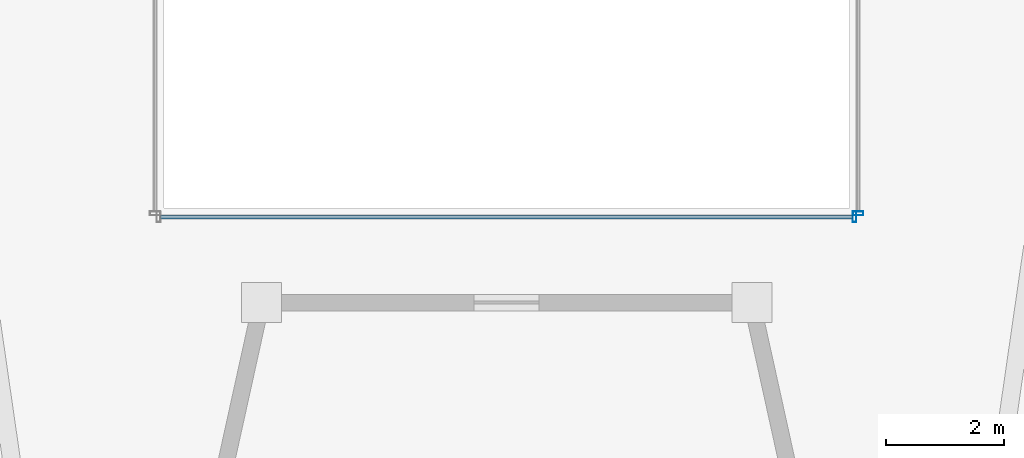
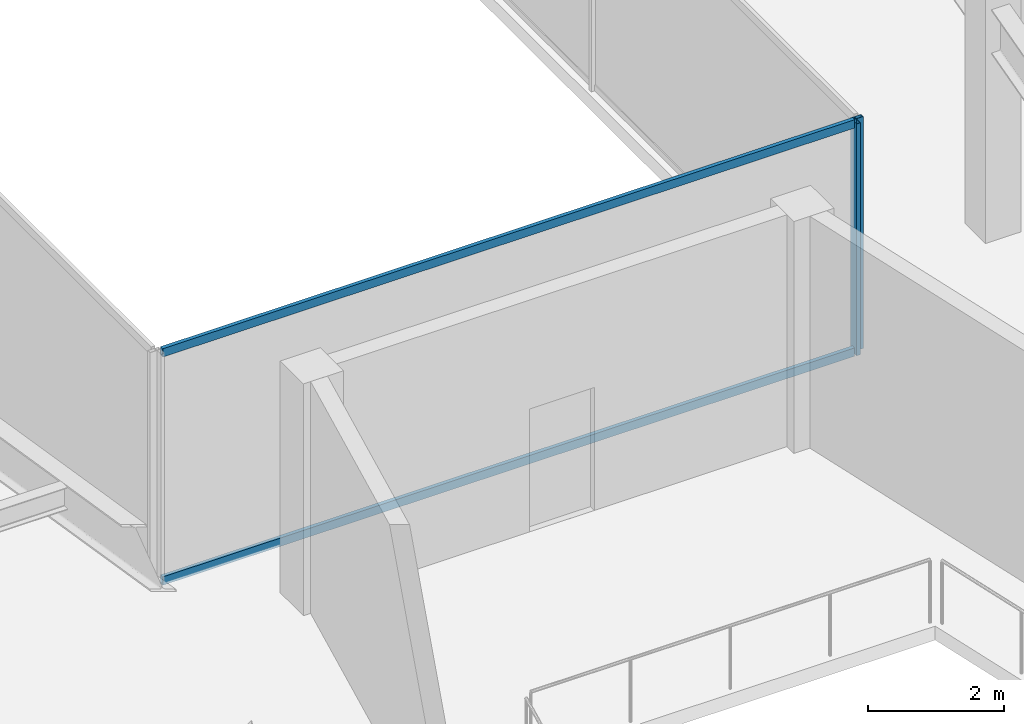
# One storey, part 7 of 35: 4 members, 2 elements without a shape of their own.
"""IFC4 building model written with IfcOpenShell, lengths in metres."""

from ifc_helpers import new_model, si_unit, direction, frame, origin, origin_2d, place, context, subcontext, project, spatial, hollow_rectangle, extrude, material, material_profile, profile_set, type_object, element, aggregate, save


model = new_model("IFC4")

# Units and contexts
model_context = context("Model", 3, precision=1e-05, world=origin(), true_north=direction((0.0, 1.0)))
body_context = subcontext(model_context, "Body", "Model", "MODEL_VIEW")
ifc_project = project(units=[si_unit("LENGTHUNIT", "METRE"), si_unit("AREAUNIT", "SQUARE_METRE"), si_unit("VOLUMEUNIT", "CUBIC_METRE"), si_unit("PLANEANGLEUNIT", "RADIAN"), si_unit("MASSUNIT", "GRAM", prefix="KILO")], contexts=[model_context])

# Site, building, storey
site_placement = place(None, origin())
site = spatial("IfcSite", under=ifc_project, at=site_placement, CompositionType="ELEMENT")
building_placement = place(site_placement, origin())
building = spatial("IfcBuilding", under=site, at=building_placement, Name="Saevonmaru Cultural Tower", CompositionType="ELEMENT")
storey_placement = place(building_placement, frame((0.0, 0.0, 101.60009765625)))
storey = spatial("IfcBuildingStorey", under=building, at=storey_placement, Name="L21", CompositionType="ELEMENT", Elevation=101.60009765625)

# Curtain wall, member
ifc_material = material(Name="Satin Bronze Anodised Aluminium", Category="aluminium")
curtain_wall_type = type_object("IfcCurtainWallType", Name="CW-ATR-GLZ", PredefinedType="NOTDEFINED", material=ifc_material)
curtain_wall_1_placement = place(storey_placement, origin())
curtain_wall_1 = element("IfcCurtainWall", 1, at=curtain_wall_1_placement, inside=storey, type_object=curtain_wall_type, Name="L21 Vertical Atrium Glazed Smoke Screen 1", PredefinedType="NOTDEFINED")
ifc_material_profile_1 = material_profile(ifc_material, hollow_rectangle(XDim=0.06494140625, YDim=0.179931640625, WallThickness=0.00390625, at=origin_2d()), Name="ALU-MULL-180x65x4")
ifc_profile_set_1 = profile_set([ifc_material_profile_1], Name="Satin Bronze Anodised Aluminium")
member_type_1 = type_object("IfcMemberType", Name="ML-CW-INT-180x65", PredefinedType="MULLION", material=ifc_profile_set_1)
member_1_placement = place(storey_placement, frame((35.889892578125, 22.25, 0.0), z_axis=(0.0, 0.0, 1.0), x_axis=(1.0, 0.0, 0.0)))
member_1 = element("IfcMember", 2, at=member_1_placement, type_object=member_type_1, Name="CW-ATR-L21-1 mullion 2", PredefinedType="MULLION", context=body_context, shape_type="SweptSolid", body=[
    extrude(hollow_rectangle(XDim=0.06494140625, YDim=0.179931640625, WallThickness=0.00390625, at=origin_2d()), origin(), (0.0, 0.0, 1.0), 4.14990234375),
])

curtain_wall_2_placement = place(storey_placement, origin())
curtain_wall_2 = element("IfcCurtainWall", 3, at=curtain_wall_2_placement, inside=storey, type_object=curtain_wall_type, Name="L21 Vertical Atrium Glazed Smoke Screen 2", PredefinedType="NOTDEFINED")
member_2_placement = place(storey_placement, frame((35.949951171875, 22.31005859375, 0.0), z_axis=(0.0, 0.0, 1.0), x_axis=(0.0, 1.0, 0.0)))
member_2 = element("IfcMember", 4, at=member_2_placement, type_object=member_type_1, Name="CW-ATR-L21-2 mullion 1", PredefinedType="MULLION", context=body_context, shape_type="SweptSolid", body=[
    extrude(hollow_rectangle(XDim=0.06494140625, YDim=0.179931640625, WallThickness=0.00390625, at=origin_2d()), origin(), (0.0, 0.0, 1.0), 4.14990234375),
])
aggregate(curtain_wall_2, [member_2])

# Member
ifc_material_profile_2 = material_profile(ifc_material, hollow_rectangle(XDim=0.06494140625, YDim=0.14990234375, WallThickness=0.00390625, at=origin_2d()), Name="ALU-TRAN-150x65x4")
ifc_profile_set_2 = profile_set([ifc_material_profile_2], Name="Satin Bronze Anodised Aluminium")
member_type_2 = type_object("IfcMemberType", Name="TR-CW-INT-150x65", PredefinedType="USERDEFINED", material=ifc_profile_set_2)
member_3_placement = place(storey_placement, frame((24.142578125, 22.25, 0.032470703125), z_axis=(1.0, 0.0, 0.0), x_axis=(0.0, 1.0, 0.0)))
member_3 = element("IfcMember", 5, at=member_3_placement, type_object=member_type_2, Name="CW-ATR-L21-1 transom 1.1", ObjectType="TRANSOM", PredefinedType="USERDEFINED", context=body_context, shape_type="SweptSolid", body=[
    extrude(hollow_rectangle(XDim=0.06494140625, YDim=0.14990234375, WallThickness=0.00390625, at=origin_2d()), origin(), (0.0, 0.0, 1.0), 11.71484375),
])

member_4_placement = place(storey_placement, frame((24.142578125, 22.25, 4.117431640625), z_axis=(1.0, 0.0, 0.0), x_axis=(0.0, 1.0, 0.0)))
member_4 = element("IfcMember", 6, at=member_4_placement, type_object=member_type_2, Name="CW-ATR-L21-1 transom 1.2", ObjectType="TRANSOM", PredefinedType="USERDEFINED", context=body_context, shape_type="SweptSolid", body=[
    extrude(hollow_rectangle(XDim=0.06494140625, YDim=0.14990234375, WallThickness=0.00390625, at=origin_2d()), origin(), (0.0, 0.0, 1.0), 11.71484375),
])

aggregate(curtain_wall_1, [member_1, member_3, member_4])

save(model, "model.ifc")
